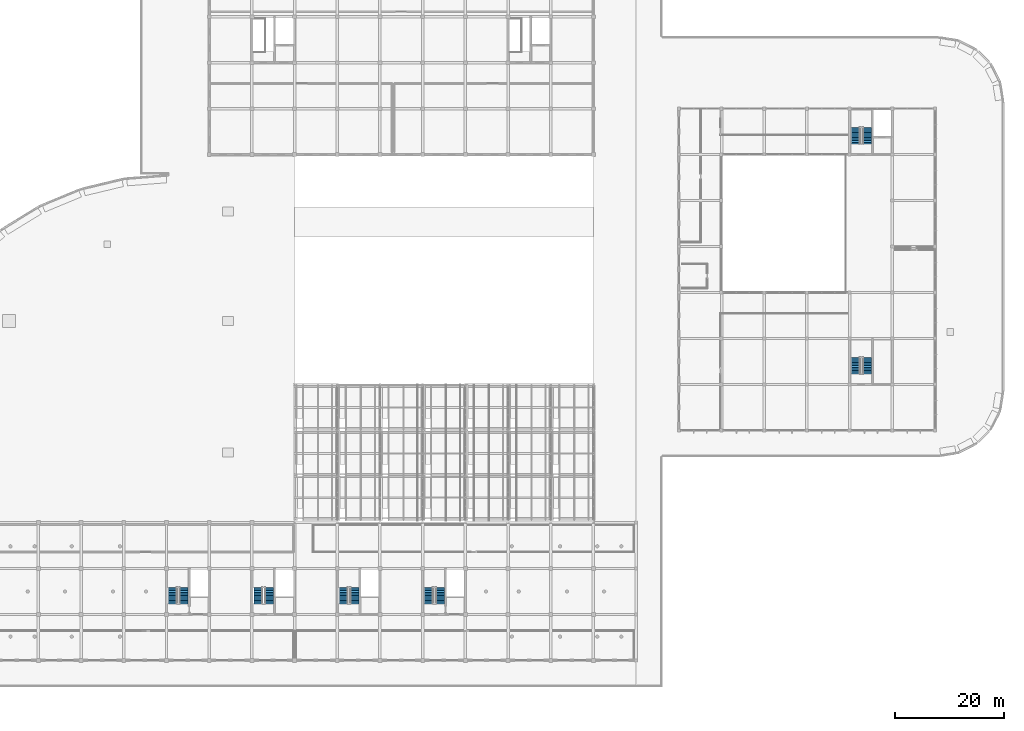
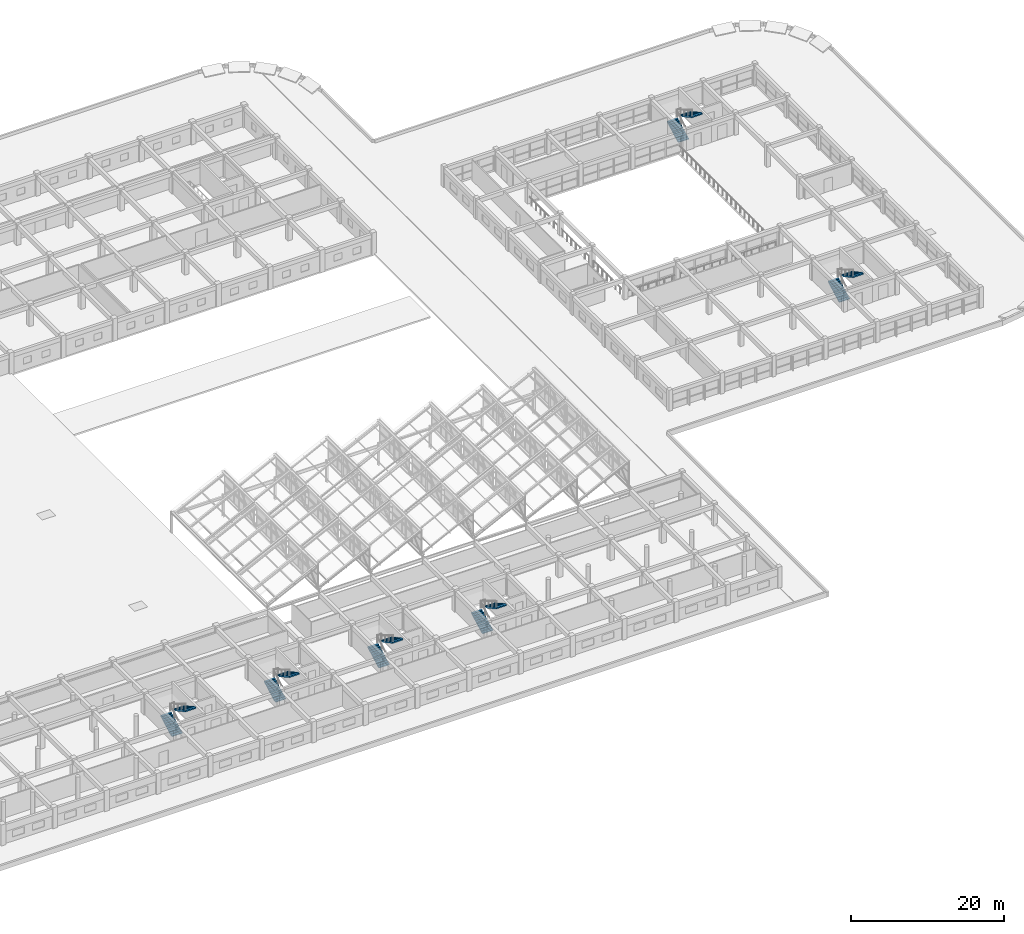
# One storey, part 98 of 101: 12 stair flights, 6 elements without a shape of their own.
"""IFC4 building model written with IfcOpenShell, lengths in metres."""

from ifc_helpers import new_model, si_unit, direction, frame, origin, place, context, subcontext, project, spatial, polyline, outline, extrude, material, type_object, element, aggregate, save


model = new_model("IFC4")

# Units and contexts
model_context = context("Model", 3, precision=1e-05, world=origin(), true_north=direction((0.0, 1.0)))
body_context = subcontext(model_context, "Body", "Model", "MODEL_VIEW")
ifc_project = project(units=[si_unit("LENGTHUNIT", "METRE"), si_unit("AREAUNIT", "SQUARE_METRE"), si_unit("VOLUMEUNIT", "CUBIC_METRE"), si_unit("PLANEANGLEUNIT", "RADIAN"), si_unit("MASSUNIT", "GRAM", prefix="KILO")], contexts=[model_context])

# Site, building, storey
site_placement = place(None, origin())
site = spatial("IfcSite", under=ifc_project, at=site_placement, CompositionType="ELEMENT")
building_placement = place(site_placement, origin())
building = spatial("IfcBuilding", under=site, at=building_placement, Name="Zizhar Promenade General Hospital", CompositionType="ELEMENT")
storey_placement = place(building_placement, frame((0.0, 0.0, 14.39990234375)))
storey = spatial("IfcBuildingStorey", under=building, at=storey_placement, Name="L03", CompositionType="ELEMENT", Elevation=14.39990234375)

# Stair, stair flights
ifc_material_1 = material(Name="Concrete C35/45", Category="concrete")
stair_type = type_object("IfcStairType", Name="STR-DOG-360", PredefinedType="HALF_TURN_STAIR", material=ifc_material_1)
stair_1_placement = place(storey_placement, origin())
stair_1 = element("IfcStair", 1, at=stair_1_placement, inside=storey, type_object=stair_type, Name="Exit Stair ST-02 (L03 to L04)", PredefinedType="HALF_TURN_STAIR")
ifc_material_2 = material(Name="Concrete C35/45", Category="concrete")
stair_flight_type = type_object("IfcStairFlightType", Name="SFL-DOG-360", PredefinedType="STRAIGHT", material=ifc_material_2)
stair_flight_1_placement = place(storey_placement, frame((47.949951171875, 10.35009765625, 0.0), z_axis=(0.0, 0.0, 1.0), x_axis=(0.0, 1.0, 0.0)))
stair_flight_1 = element("IfcStairFlight", 2, at=stair_flight_1_placement, type_object=stair_flight_type, Name="ST-02B flight 1", NumberOfRisers=11, NumberOfTreads=10, PredefinedType="STRAIGHT", RiserHeight=0.163636, TreadLength=0.3, context=body_context, shape_type="SweptSolid", body=[
    extrude(outline(polyline([(0.0, 0.0), (0.0, 0.16357421875), (0.300048828125, 0.16357421875), (0.300048828125, 0.327392578125), (0.60009765625, 0.327392578125), (0.60009765625, 0.490966796875), (0.89990234375, 0.490966796875), (0.89990234375, 0.654541015625), (1.199951171875, 0.654541015625), (1.199951171875, 0.818115234375), (1.5, 0.818115234375), (1.5, 0.98193359375), (1.800048828125, 0.98193359375), (1.800048828125, 1.1455078125), (2.10009765625, 1.1455078125), (2.10009765625, 1.30908203125), (2.39990234375, 1.30908203125), (2.39990234375, 1.47265625), (2.699951171875, 1.47265625), (2.699951171875, 1.636474609375), (3.0, 1.636474609375), (3.0, 1.800048828125), (3.0, 1.431396484375), (0.375732421875, 0.0), (0.0, 0.0)])), frame((0.0, 0.780029296875, 0.0), z_axis=(0.0, -1.0, 0.0), x_axis=(1.0, 0.0, 0.0)), (0.0, 0.0, 1.0), 1.56005859375),
])
stair_flight_2_placement = place(storey_placement, frame((49.989990234375, 13.35009765625, 1.800048828125), z_axis=(0.0, 0.0, 1.0), x_axis=(0.0, -1.0, 0.0)))
stair_flight_2 = element("IfcStairFlight", 3, at=stair_flight_2_placement, type_object=stair_flight_type, Name="ST-02B flight 2", NumberOfRisers=11, NumberOfTreads=10, PredefinedType="STRAIGHT", RiserHeight=0.163636, TreadLength=0.3, context=body_context, shape_type="SweptSolid", body=[
    extrude(outline(polyline([(0.0, 0.0), (0.0, 0.16357421875), (0.300048828125, 0.16357421875), (0.300048828125, 0.327392578125), (0.60009765625, 0.327392578125), (0.60009765625, 0.490966796875), (0.89990234375, 0.490966796875), (0.89990234375, 0.654541015625), (1.199951171875, 0.654541015625), (1.199951171875, 0.818115234375), (1.5, 0.818115234375), (1.5, 0.98193359375), (1.800048828125, 0.98193359375), (1.800048828125, 1.1455078125), (2.10009765625, 1.1455078125), (2.10009765625, 1.30908203125), (2.39990234375, 1.30908203125), (2.39990234375, 1.47265625), (2.699951171875, 1.47265625), (2.699951171875, 1.636474609375), (3.0, 1.636474609375), (3.0, 1.800048828125), (3.0, 1.431396484375), (0.375732421875, 0.0), (0.0, 0.0)])), frame((0.0, 0.780029296875, 0.0), z_axis=(0.0, -1.0, 0.0), x_axis=(1.0, 0.0, 0.0)), (0.0, 0.0, 1.0), 1.56005859375),
])
aggregate(stair_1, [stair_flight_1, stair_flight_2])

stair_2_placement = place(storey_placement, origin())
stair_2 = element("IfcStair", 4, at=stair_2_placement, inside=storey, type_object=stair_type, Name="Exit Stair ST-03 (L03 to L04)", PredefinedType="HALF_TURN_STAIR")
stair_flight_3_placement = place(storey_placement, frame((63.550048828125, 10.35009765625, 0.0), z_axis=(0.0, 0.0, 1.0), x_axis=(0.0, 1.0, 0.0)))
stair_flight_3 = element("IfcStairFlight", 5, at=stair_flight_3_placement, type_object=stair_flight_type, Name="ST-03B flight 1", NumberOfRisers=11, NumberOfTreads=10, PredefinedType="STRAIGHT", RiserHeight=0.163636, TreadLength=0.3, context=body_context, shape_type="SweptSolid", body=[
    extrude(outline(polyline([(0.0, 0.0), (0.0, 0.16357421875), (0.300048828125, 0.16357421875), (0.300048828125, 0.327392578125), (0.60009765625, 0.327392578125), (0.60009765625, 0.490966796875), (0.89990234375, 0.490966796875), (0.89990234375, 0.654541015625), (1.199951171875, 0.654541015625), (1.199951171875, 0.818115234375), (1.5, 0.818115234375), (1.5, 0.98193359375), (1.800048828125, 0.98193359375), (1.800048828125, 1.1455078125), (2.10009765625, 1.1455078125), (2.10009765625, 1.30908203125), (2.39990234375, 1.30908203125), (2.39990234375, 1.47265625), (2.699951171875, 1.47265625), (2.699951171875, 1.636474609375), (3.0, 1.636474609375), (3.0, 1.800048828125), (3.0, 1.431396484375), (0.375732421875, 0.0), (0.0, 0.0)])), frame((0.0, 0.780029296875, 0.0), z_axis=(0.0, -1.0, 0.0), x_axis=(1.0, 0.0, 0.0)), (0.0, 0.0, 1.0), 1.56005859375),
])
stair_flight_4_placement = place(storey_placement, frame((65.590087890625, 13.35009765625, 1.800048828125), z_axis=(0.0, 0.0, 1.0), x_axis=(0.0, -1.0, 0.0)))
stair_flight_4 = element("IfcStairFlight", 6, at=stair_flight_4_placement, type_object=stair_flight_type, Name="ST-03B flight 2", NumberOfRisers=11, NumberOfTreads=10, PredefinedType="STRAIGHT", RiserHeight=0.163636, TreadLength=0.3, context=body_context, shape_type="SweptSolid", body=[
    extrude(outline(polyline([(0.0, 0.0), (0.0, 0.16357421875), (0.300048828125, 0.16357421875), (0.300048828125, 0.327392578125), (0.60009765625, 0.327392578125), (0.60009765625, 0.490966796875), (0.89990234375, 0.490966796875), (0.89990234375, 0.654541015625), (1.199951171875, 0.654541015625), (1.199951171875, 0.818115234375), (1.5, 0.818115234375), (1.5, 0.98193359375), (1.800048828125, 0.98193359375), (1.800048828125, 1.1455078125), (2.10009765625, 1.1455078125), (2.10009765625, 1.30908203125), (2.39990234375, 1.30908203125), (2.39990234375, 1.47265625), (2.699951171875, 1.47265625), (2.699951171875, 1.636474609375), (3.0, 1.636474609375), (3.0, 1.800048828125), (3.0, 1.431396484375), (0.375732421875, 0.0), (0.0, 0.0)])), frame((0.0, 0.780029296875, 0.0), z_axis=(0.0, -1.0, 0.0), x_axis=(1.0, 0.0, 0.0)), (0.0, 0.0, 1.0), 1.56005859375),
])
aggregate(stair_2, [stair_flight_3, stair_flight_4])

stair_3_placement = place(storey_placement, origin())
stair_3 = element("IfcStair", 7, at=stair_3_placement, inside=storey, type_object=stair_type, Name="Exit Stair ST-04 (L03 to L04)", PredefinedType="HALF_TURN_STAIR")
stair_flight_5_placement = place(storey_placement, frame((79.14990234375, 10.35009765625, 0.0), z_axis=(0.0, 0.0, 1.0), x_axis=(0.0, 1.0, 0.0)))
stair_flight_5 = element("IfcStairFlight", 8, at=stair_flight_5_placement, type_object=stair_flight_type, Name="ST-04B flight 1", NumberOfRisers=11, NumberOfTreads=10, PredefinedType="STRAIGHT", RiserHeight=0.163636, TreadLength=0.3, context=body_context, shape_type="SweptSolid", body=[
    extrude(outline(polyline([(0.0, 0.0), (0.0, 0.16357421875), (0.300048828125, 0.16357421875), (0.300048828125, 0.327392578125), (0.60009765625, 0.327392578125), (0.60009765625, 0.490966796875), (0.89990234375, 0.490966796875), (0.89990234375, 0.654541015625), (1.199951171875, 0.654541015625), (1.199951171875, 0.818115234375), (1.5, 0.818115234375), (1.5, 0.98193359375), (1.800048828125, 0.98193359375), (1.800048828125, 1.1455078125), (2.10009765625, 1.1455078125), (2.10009765625, 1.30908203125), (2.39990234375, 1.30908203125), (2.39990234375, 1.47265625), (2.699951171875, 1.47265625), (2.699951171875, 1.636474609375), (3.0, 1.636474609375), (3.0, 1.800048828125), (3.0, 1.431396484375), (0.375732421875, 0.0), (0.0, 0.0)])), frame((0.0, 0.780029296875, 0.0), z_axis=(0.0, -1.0, 0.0), x_axis=(1.0, 0.0, 0.0)), (0.0, 0.0, 1.0), 1.56005859375),
])
stair_flight_6_placement = place(storey_placement, frame((81.18994140625, 13.35009765625, 1.800048828125), z_axis=(0.0, 0.0, 1.0), x_axis=(0.0, -1.0, 0.0)))
stair_flight_6 = element("IfcStairFlight", 9, at=stair_flight_6_placement, type_object=stair_flight_type, Name="ST-04B flight 2", NumberOfRisers=11, NumberOfTreads=10, PredefinedType="STRAIGHT", RiserHeight=0.163636, TreadLength=0.3, context=body_context, shape_type="SweptSolid", body=[
    extrude(outline(polyline([(0.0, 0.0), (0.0, 0.16357421875), (0.300048828125, 0.16357421875), (0.300048828125, 0.327392578125), (0.60009765625, 0.327392578125), (0.60009765625, 0.490966796875), (0.89990234375, 0.490966796875), (0.89990234375, 0.654541015625), (1.199951171875, 0.654541015625), (1.199951171875, 0.818115234375), (1.5, 0.818115234375), (1.5, 0.98193359375), (1.800048828125, 0.98193359375), (1.800048828125, 1.1455078125), (2.10009765625, 1.1455078125), (2.10009765625, 1.30908203125), (2.39990234375, 1.30908203125), (2.39990234375, 1.47265625), (2.699951171875, 1.47265625), (2.699951171875, 1.636474609375), (3.0, 1.636474609375), (3.0, 1.800048828125), (3.0, 1.431396484375), (0.375732421875, 0.0), (0.0, 0.0)])), frame((0.0, 0.780029296875, 0.0), z_axis=(0.0, -1.0, 0.0), x_axis=(1.0, 0.0, 0.0)), (0.0, 0.0, 1.0), 1.56005859375),
])
aggregate(stair_3, [stair_flight_5, stair_flight_6])

stair_4_placement = place(storey_placement, origin())
stair_4 = element("IfcStair", 10, at=stair_4_placement, inside=storey, type_object=stair_type, Name="Exit Stair ST-05 (L03 to L04)", PredefinedType="HALF_TURN_STAIR")
stair_flight_7_placement = place(storey_placement, frame((94.75, 10.35009765625, 0.0), z_axis=(0.0, 0.0, 1.0), x_axis=(0.0, 1.0, 0.0)))
stair_flight_7 = element("IfcStairFlight", 11, at=stair_flight_7_placement, type_object=stair_flight_type, Name="ST-05B flight 1", NumberOfRisers=11, NumberOfTreads=10, PredefinedType="STRAIGHT", RiserHeight=0.163636, TreadLength=0.3, context=body_context, shape_type="SweptSolid", body=[
    extrude(outline(polyline([(0.0, 0.0), (0.0, 0.16357421875), (0.300048828125, 0.16357421875), (0.300048828125, 0.327392578125), (0.60009765625, 0.327392578125), (0.60009765625, 0.490966796875), (0.89990234375, 0.490966796875), (0.89990234375, 0.654541015625), (1.199951171875, 0.654541015625), (1.199951171875, 0.818115234375), (1.5, 0.818115234375), (1.5, 0.98193359375), (1.800048828125, 0.98193359375), (1.800048828125, 1.1455078125), (2.10009765625, 1.1455078125), (2.10009765625, 1.30908203125), (2.39990234375, 1.30908203125), (2.39990234375, 1.47265625), (2.699951171875, 1.47265625), (2.699951171875, 1.636474609375), (3.0, 1.636474609375), (3.0, 1.800048828125), (3.0, 1.431396484375), (0.375732421875, 0.0), (0.0, 0.0)])), frame((0.0, 0.780029296875, 0.0), z_axis=(0.0, -1.0, 0.0), x_axis=(1.0, 0.0, 0.0)), (0.0, 0.0, 1.0), 1.56005859375),
])
stair_flight_8_placement = place(storey_placement, frame((96.7900390625, 13.35009765625, 1.800048828125), z_axis=(0.0, 0.0, 1.0), x_axis=(0.0, -1.0, 0.0)))
stair_flight_8 = element("IfcStairFlight", 12, at=stair_flight_8_placement, type_object=stair_flight_type, Name="ST-05B flight 2", NumberOfRisers=11, NumberOfTreads=10, PredefinedType="STRAIGHT", RiserHeight=0.163636, TreadLength=0.3, context=body_context, shape_type="SweptSolid", body=[
    extrude(outline(polyline([(0.0, 0.0), (0.0, 0.16357421875), (0.300048828125, 0.16357421875), (0.300048828125, 0.327392578125), (0.60009765625, 0.327392578125), (0.60009765625, 0.490966796875), (0.89990234375, 0.490966796875), (0.89990234375, 0.654541015625), (1.199951171875, 0.654541015625), (1.199951171875, 0.818115234375), (1.5, 0.818115234375), (1.5, 0.98193359375), (1.800048828125, 0.98193359375), (1.800048828125, 1.1455078125), (2.10009765625, 1.1455078125), (2.10009765625, 1.30908203125), (2.39990234375, 1.30908203125), (2.39990234375, 1.47265625), (2.699951171875, 1.47265625), (2.699951171875, 1.636474609375), (3.0, 1.636474609375), (3.0, 1.800048828125), (3.0, 1.431396484375), (0.375732421875, 0.0), (0.0, 0.0)])), frame((0.0, 0.780029296875, 0.0), z_axis=(0.0, -1.0, 0.0), x_axis=(1.0, 0.0, 0.0)), (0.0, 0.0, 1.0), 1.56005859375),
])
aggregate(stair_4, [stair_flight_7, stair_flight_8])

stair_5_placement = place(storey_placement, origin())
stair_5 = element("IfcStair", 13, at=stair_5_placement, inside=storey, type_object=stair_type, Name="Exit Stair ST-08 (L03 to L04)", PredefinedType="HALF_TURN_STAIR")
stair_flight_9_placement = place(storey_placement, frame((172.75, 94.35009765625, 0.0), z_axis=(0.0, 0.0, 1.0), x_axis=(0.0, 1.0, 0.0)))
stair_flight_9 = element("IfcStairFlight", 14, at=stair_flight_9_placement, type_object=stair_flight_type, Name="ST-08B flight 1", NumberOfRisers=11, NumberOfTreads=10, PredefinedType="STRAIGHT", RiserHeight=0.163636, TreadLength=0.3, context=body_context, shape_type="SweptSolid", body=[
    extrude(outline(polyline([(0.0, 0.0), (0.0, 0.16357421875), (0.300048828125, 0.16357421875), (0.300048828125, 0.327392578125), (0.60009765625, 0.327392578125), (0.60009765625, 0.490966796875), (0.89990234375, 0.490966796875), (0.89990234375, 0.654541015625), (1.199951171875, 0.654541015625), (1.199951171875, 0.818115234375), (1.5, 0.818115234375), (1.5, 0.98193359375), (1.800048828125, 0.98193359375), (1.800048828125, 1.1455078125), (2.10009765625, 1.1455078125), (2.10009765625, 1.30908203125), (2.39990234375, 1.30908203125), (2.39990234375, 1.47265625), (2.699951171875, 1.47265625), (2.699951171875, 1.636474609375), (3.0, 1.636474609375), (3.0, 1.800048828125), (3.0, 1.431396484375), (0.375732421875, 0.0), (0.0, 0.0)])), frame((0.0, 0.780029296875, 0.0), z_axis=(0.0, -1.0, 0.0), x_axis=(1.0, 0.0, 0.0)), (0.0, 0.0, 1.0), 1.56005859375),
])
stair_flight_10_placement = place(storey_placement, frame((174.7900390625, 97.35009765625, 1.800048828125), z_axis=(0.0, 0.0, 1.0), x_axis=(0.0, -1.0, 0.0)))
stair_flight_10 = element("IfcStairFlight", 15, at=stair_flight_10_placement, type_object=stair_flight_type, Name="ST-08B flight 2", NumberOfRisers=11, NumberOfTreads=10, PredefinedType="STRAIGHT", RiserHeight=0.163636, TreadLength=0.3, context=body_context, shape_type="SweptSolid", body=[
    extrude(outline(polyline([(0.0, 0.0), (0.0, 0.16357421875), (0.300048828125, 0.16357421875), (0.300048828125, 0.327392578125), (0.60009765625, 0.327392578125), (0.60009765625, 0.490966796875), (0.89990234375, 0.490966796875), (0.89990234375, 0.654541015625), (1.199951171875, 0.654541015625), (1.199951171875, 0.818115234375), (1.5, 0.818115234375), (1.5, 0.98193359375), (1.800048828125, 0.98193359375), (1.800048828125, 1.1455078125), (2.10009765625, 1.1455078125), (2.10009765625, 1.30908203125), (2.39990234375, 1.30908203125), (2.39990234375, 1.47265625), (2.699951171875, 1.47265625), (2.699951171875, 1.636474609375), (3.0, 1.636474609375), (3.0, 1.800048828125), (3.0, 1.431396484375), (0.375732421875, 0.0), (0.0, 0.0)])), frame((0.0, 0.780029296875, 0.0), z_axis=(0.0, -1.0, 0.0), x_axis=(1.0, 0.0, 0.0)), (0.0, 0.0, 1.0), 1.56005859375),
])
aggregate(stair_5, [stair_flight_9, stair_flight_10])

stair_6_placement = place(storey_placement, origin())
stair_6 = element("IfcStair", 16, at=stair_6_placement, inside=storey, type_object=stair_type, Name="Exit Stair ST-09 (L03 to L04)", PredefinedType="HALF_TURN_STAIR")
stair_flight_11_placement = place(storey_placement, frame((172.75, 52.35009765625, 0.0), z_axis=(0.0, 0.0, 1.0), x_axis=(0.0, 1.0, 0.0)))
stair_flight_11 = element("IfcStairFlight", 17, at=stair_flight_11_placement, type_object=stair_flight_type, Name="ST-09B flight 1", NumberOfRisers=11, NumberOfTreads=10, PredefinedType="STRAIGHT", RiserHeight=0.163636, TreadLength=0.3, context=body_context, shape_type="SweptSolid", body=[
    extrude(outline(polyline([(0.0, 0.0), (0.0, 0.16357421875), (0.300048828125, 0.16357421875), (0.300048828125, 0.327392578125), (0.60009765625, 0.327392578125), (0.60009765625, 0.490966796875), (0.89990234375, 0.490966796875), (0.89990234375, 0.654541015625), (1.199951171875, 0.654541015625), (1.199951171875, 0.818115234375), (1.5, 0.818115234375), (1.5, 0.98193359375), (1.800048828125, 0.98193359375), (1.800048828125, 1.1455078125), (2.10009765625, 1.1455078125), (2.10009765625, 1.30908203125), (2.39990234375, 1.30908203125), (2.39990234375, 1.47265625), (2.699951171875, 1.47265625), (2.699951171875, 1.636474609375), (3.0, 1.636474609375), (3.0, 1.800048828125), (3.0, 1.431396484375), (0.375732421875, 0.0), (0.0, 0.0)])), frame((0.0, 0.780029296875, 0.0), z_axis=(0.0, -1.0, 0.0), x_axis=(1.0, 0.0, 0.0)), (0.0, 0.0, 1.0), 1.56005859375),
])
stair_flight_12_placement = place(storey_placement, frame((174.7900390625, 55.35009765625, 1.800048828125), z_axis=(0.0, 0.0, 1.0), x_axis=(0.0, -1.0, 0.0)))
stair_flight_12 = element("IfcStairFlight", 18, at=stair_flight_12_placement, type_object=stair_flight_type, Name="ST-09B flight 2", NumberOfRisers=11, NumberOfTreads=10, PredefinedType="STRAIGHT", RiserHeight=0.163636, TreadLength=0.3, context=body_context, shape_type="SweptSolid", body=[
    extrude(outline(polyline([(0.0, 0.0), (0.0, 0.16357421875), (0.300048828125, 0.16357421875), (0.300048828125, 0.327392578125), (0.60009765625, 0.327392578125), (0.60009765625, 0.490966796875), (0.89990234375, 0.490966796875), (0.89990234375, 0.654541015625), (1.199951171875, 0.654541015625), (1.199951171875, 0.818115234375), (1.5, 0.818115234375), (1.5, 0.98193359375), (1.800048828125, 0.98193359375), (1.800048828125, 1.1455078125), (2.10009765625, 1.1455078125), (2.10009765625, 1.30908203125), (2.39990234375, 1.30908203125), (2.39990234375, 1.47265625), (2.699951171875, 1.47265625), (2.699951171875, 1.636474609375), (3.0, 1.636474609375), (3.0, 1.800048828125), (3.0, 1.431396484375), (0.375732421875, 0.0), (0.0, 0.0)])), frame((0.0, 0.780029296875, 0.0), z_axis=(0.0, -1.0, 0.0), x_axis=(1.0, 0.0, 0.0)), (0.0, 0.0, 1.0), 1.56005859375),
])
aggregate(stair_6, [stair_flight_11, stair_flight_12])

save(model, "model.ifc")
